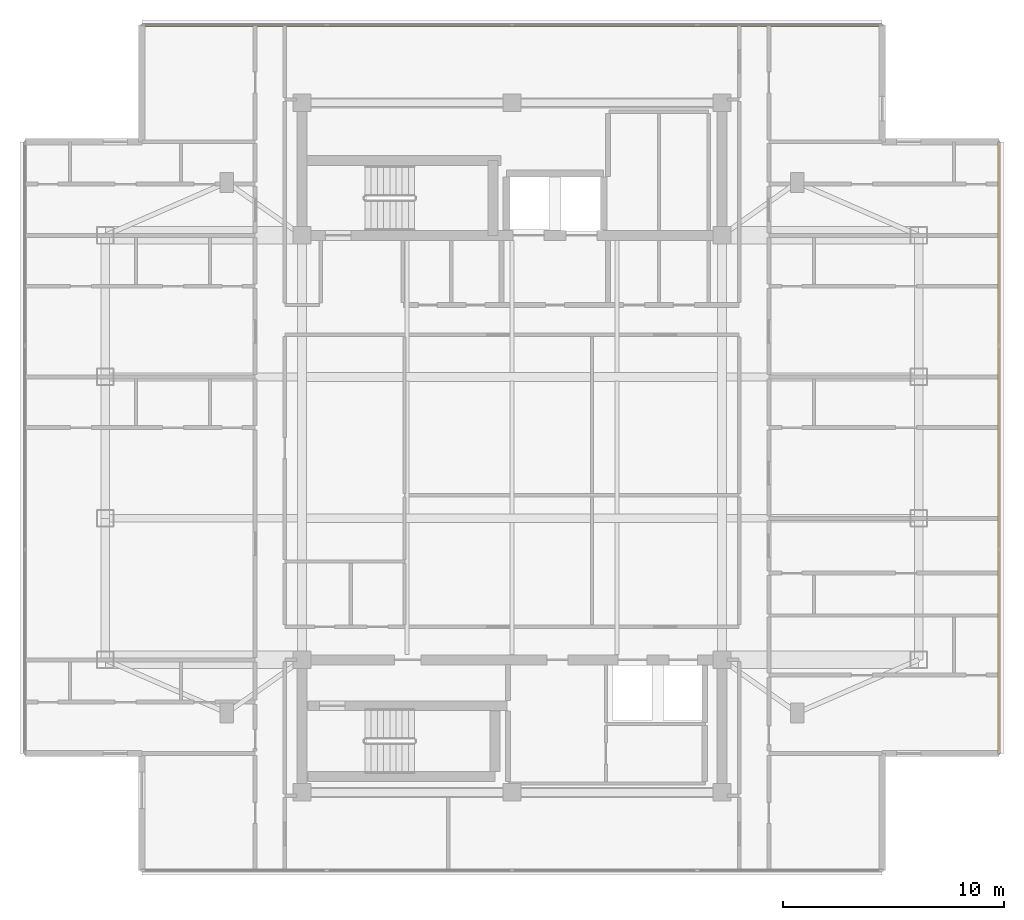
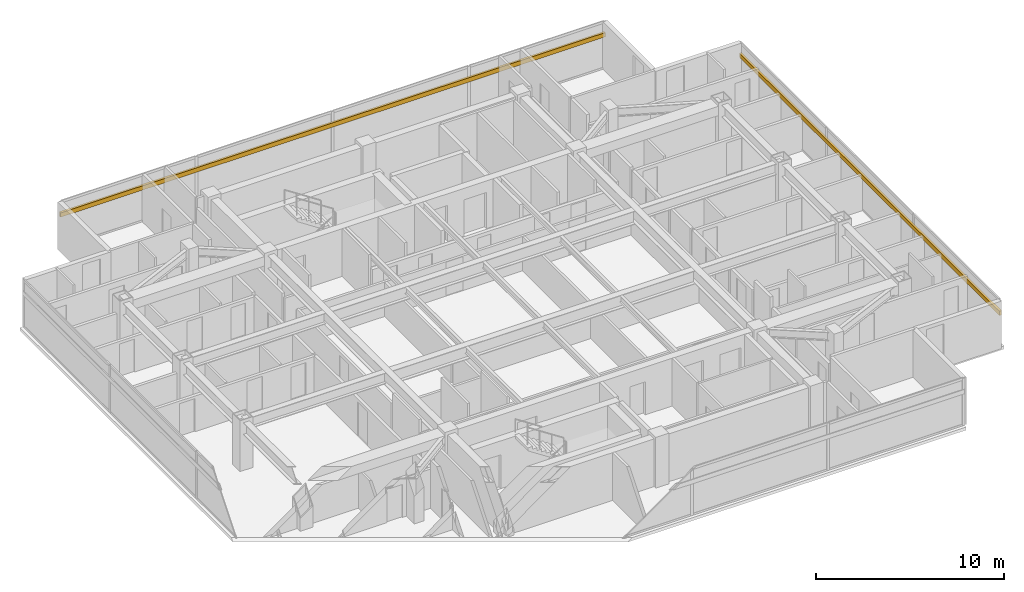
# One storey, part 14 of 14: 2 shading devices.
"""IFC4 building model written with IfcOpenShell, lengths in metres."""

from ifc_helpers import new_model, si_unit, direction, frame, origin, origin_2d, place, context, subcontext, project, spatial, rectangle, extrude, material, material_profile, profile_set, type_object, element, save


model = new_model("IFC4")

# Units and contexts
model_context = context("Model", 3, precision=1e-05, world=origin(), true_north=direction((0.0, 1.0)))
body_context = subcontext(model_context, "Body", "Model", "MODEL_VIEW")
ifc_project = project(units=[si_unit("LENGTHUNIT", "METRE"), si_unit("AREAUNIT", "SQUARE_METRE"), si_unit("VOLUMEUNIT", "CUBIC_METRE"), si_unit("PLANEANGLEUNIT", "RADIAN"), si_unit("MASSUNIT", "GRAM", prefix="KILO")], contexts=[model_context])

# Site, building, storey
site_placement = place(None, origin())
site = spatial("IfcSite", under=ifc_project, at=site_placement, CompositionType="ELEMENT")
building_placement = place(site_placement, origin())
building = spatial("IfcBuilding", under=site, at=building_placement, Name="Mirazonda Arch Towers", CompositionType="ELEMENT")
storey_placement = place(building_placement, frame((0.0, 0.0, 242.5)))
storey = spatial("IfcBuildingStorey", under=building, at=storey_placement, Name="L69", CompositionType="ELEMENT", Elevation=242.5)

# Shading devices
ifc_material = material(Name="Kiln-Fired Architectural Terracotta", Category="masonry")
ifc_material_profile = material_profile(ifc_material, rectangle(XDim=0.139892578125, YDim=0.280029296875, at=origin_2d()), Name="TERRA-BAG-140x280")
ifc_profile_set = profile_set([ifc_material_profile], Name="Kiln-Fired Architectural Terracotta")
shading_device_type = type_object("IfcShadingDeviceType", Name="BAGUETTE-3", PredefinedType="USERDEFINED", material=ifc_profile_set)
shading_device_1_placement = place(storey_placement, frame((42.5400390625, 14.1640625, 2.217529296875), z_axis=(0.0, 1.0, 0.0), x_axis=(-1.0, 0.0, 0.0)))
element("IfcShadingDevice", 1, at=shading_device_1_placement, inside=storey, type_object=shading_device_type, Name="L69 Glazed Terracotta Sun-Screen Baguette CW-L69-T1-E", ObjectType="BAGUETTE", PredefinedType="USERDEFINED", context=body_context, shape_type="SweptSolid", body=[
    extrude(rectangle(XDim=0.139892578125, YDim=0.280029296875, at=origin_2d()), origin(), (0.0, 0.0, 1.0), 27.671875),
])
shading_device_2_placement = place(storey_placement, frame((3.75, 47.1259765625, 2.217529296875), z_axis=(1.0, 0.0, 0.0), x_axis=(0.0, 1.0, 0.0)))
element("IfcShadingDevice", 2, at=shading_device_2_placement, inside=storey, type_object=shading_device_type, Name="L69 Glazed Terracotta Sun-Screen Baguette CW-L69-T1-N", ObjectType="BAGUETTE", PredefinedType="USERDEFINED", context=body_context, shape_type="SweptSolid", body=[
    extrude(rectangle(XDim=0.139892578125, YDim=0.280029296875, at=origin_2d()), origin(), (0.0, 0.0, 1.0), 33.5),
])

save(model, "model.ifc")
